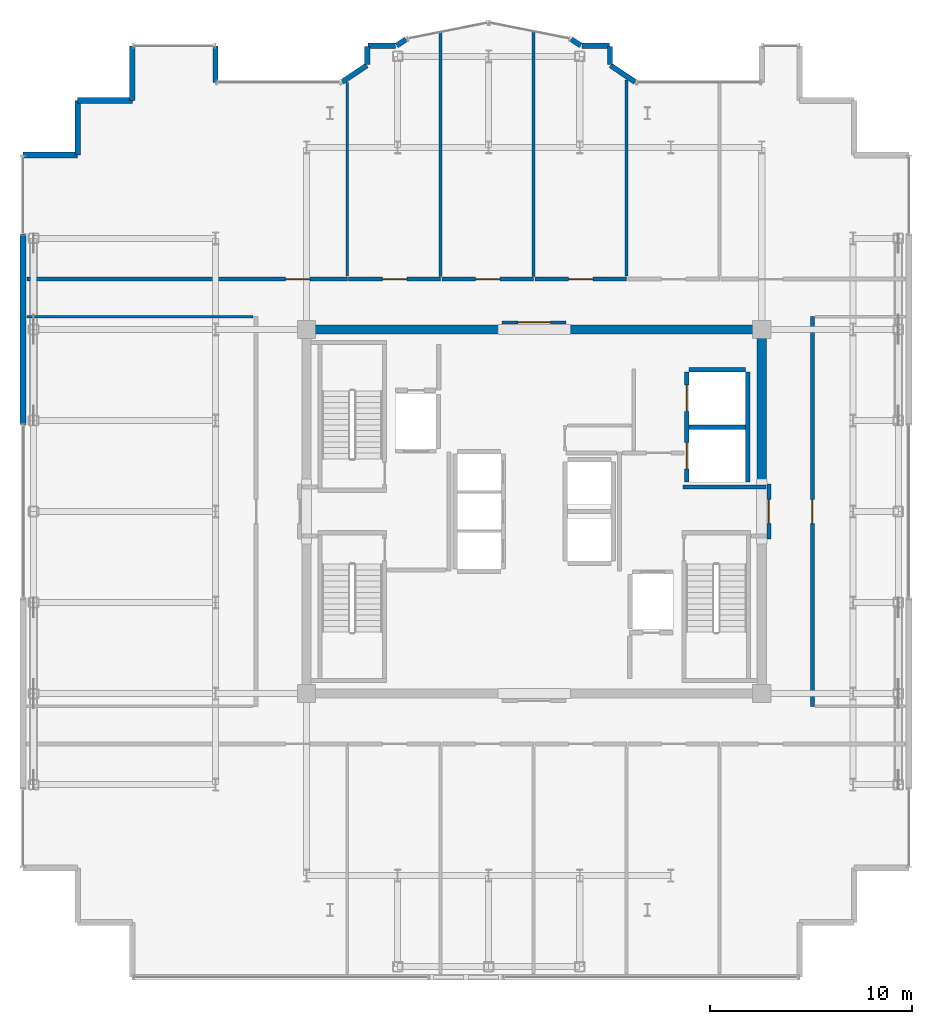
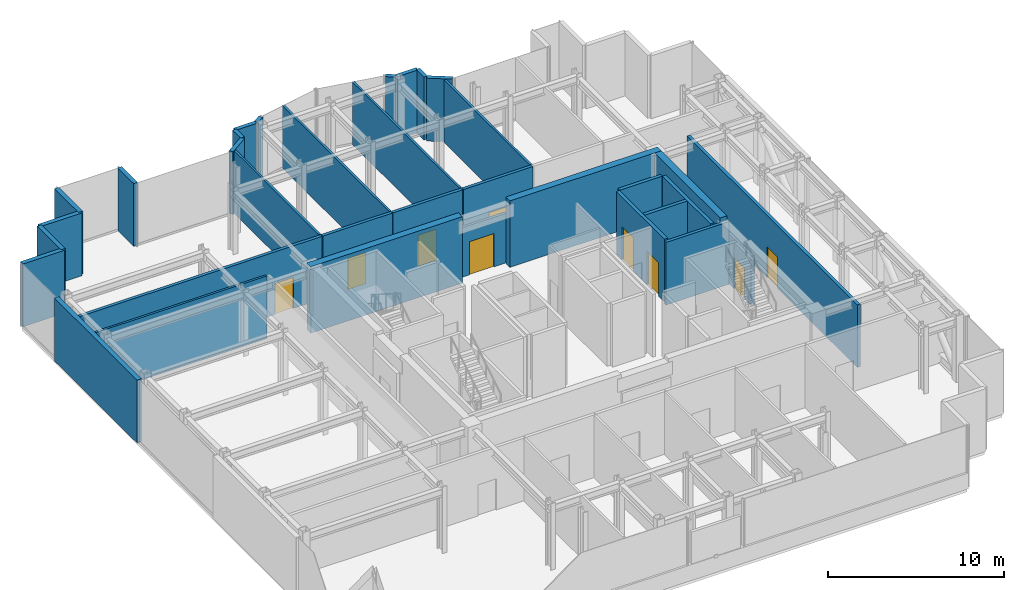
# One storey, part 15 of 18: 34 walls, 9 doors, 9 openings.
"""IFC4 building model written with IfcOpenShell, lengths in metres."""

from ifc_helpers import new_model, si_unit, direction, frame, frame_2d, origin, place, context, subcontext, project, spatial, rectangle, extrude, source, transform, mapped, material, layer, layer_set, type_object, element, fill, save


model = new_model("IFC4")

# Units and contexts
model_context = context("Model", 3, precision=1e-05, world=origin(), true_north=direction((0.0, 1.0)))
body_context = subcontext(model_context, "Body", "Model", "MODEL_VIEW")
ifc_project = project(units=[si_unit("LENGTHUNIT", "METRE"), si_unit("AREAUNIT", "SQUARE_METRE"), si_unit("VOLUMEUNIT", "CUBIC_METRE"), si_unit("PLANEANGLEUNIT", "RADIAN"), si_unit("MASSUNIT", "GRAM", prefix="KILO")], contexts=[model_context])

# Site, building, storey
site_placement = place(None, origin())
site = spatial("IfcSite", under=ifc_project, at=site_placement, CompositionType="ELEMENT")
building_placement = place(site_placement, origin())
building = spatial("IfcBuilding", under=site, at=building_placement, Name="Nefas-Gora Pilgrimage Tower", CompositionType="ELEMENT")
storey_placement = place(building_placement, frame((0.0, 0.0, 317.800048828125)))
storey = spatial("IfcBuildingStorey", under=building, at=storey_placement, Name="L80", CompositionType="ELEMENT", Elevation=317.800048828125)

# Walls
ifc_material_1 = material(Name="Concrete C50/60", Category="concrete")
ifc_layer_1 = layer(ifc_material_1, 0.449951171875)
ifc_layer_set_1 = layer_set([ifc_layer_1], Name="Concrete C50/60")
wall_type_1 = type_object("IfcWallType", Name="SW-CORE-450", PredefinedType="SHEAR", material=ifc_layer_set_1)
shared_shape_1 = source(origin(), body_context, "Body", "SweptSolid", [
    extrude(rectangle(XDim=9.925048828125, YDim=0.449951171875, at=frame_2d((4.96240234375, 0.0))), origin(), (0.0, 0.0, 1.0), 4.599853515625),
])
for number, where, z_axis, x_axis, name in (
    (1, (-11.47509765625, 9.0, 0.0), (0.0, 0.0, 1.0), (1.0, 0.0, 0.0), "L80 Core Shear Wall N-West"),
    (2, (1.550048828125, 9.0, 0.0), (0.0, 0.0, 1.0), (1.0, 0.0, 0.0), "L80 Core Shear Wall N-East"),
):
    element("IfcWall", number, at=place(storey_placement, frame(where, z_axis=z_axis, x_axis=x_axis)), inside=storey, type_object=wall_type_1, Name=name, PredefinedType="SHEAR", context=body_context, shape_type="MappedRepresentation", body=[
        mapped(shared_shape_1, transform((0.0, 0.0, 0.0), x_axis=(1.0, 0.0, 0.0), y_axis=(0.0, 1.0, 0.0), z_axis=(0.0, 0.0, 1.0), scale=1.0)),
    ])
shared_shape_2 = source(origin(), body_context, "Body", "SweptSolid", [
    extrude(rectangle(XDim=7.4248046875, YDim=0.449951171875, at=frame_2d((3.71240234375, 0.0))), origin(), (0.0, 0.0, 1.0), 4.599853515625),
])
wall_1_placement = place(storey_placement, frame((11.25, 1.35009765625, 0.0), z_axis=(0.0, 0.0, 1.0), x_axis=(0.0, 1.0, 0.0)))
element("IfcWall", 3, at=wall_1_placement, inside=storey, type_object=wall_type_1, Name="L80 Core Shear Wall E-North", PredefinedType="SHEAR", context=body_context, shape_type="MappedRepresentation", body=[
    mapped(shared_shape_2, transform((0.0, 0.0, 0.0), x_axis=(1.0, 0.0, 0.0), y_axis=(0.0, 1.0, 0.0), z_axis=(0.0, 0.0, 1.0), scale=1.0)),
])
ifc_material_2 = material(Name="Precast concrete C45/55", Category="concrete")
ifc_layer_2 = layer(ifc_material_2, 0.239990234375)
ifc_layer_set_2 = layer_set([ifc_layer_2], Name="Precast concrete C45/55")
wall_type_2 = type_object("IfcWallType", Name="EW-SERR-240", PredefinedType="SHEAR", material=ifc_layer_set_2)
shared_shape_3 = source(origin(), body_context, "Body", "SweptSolid", [
    extrude(rectangle(XDim=9.3798828125, YDim=0.300048828125, at=frame_2d((4.68994140625, 0.0))), origin(), (0.0, 0.0, 1.0), 4.349853515625),
])
wall_2_placement = place(storey_placement, frame((-25.27001953125, 4.31005859375, 0.0), z_axis=(0.0, 0.0, 1.0), x_axis=(0.0, 1.0, 0.0)))
element("IfcWall", 4, at=wall_2_placement, inside=storey, type_object=wall_type_2, Name="L80 Belt-Truss Precast Shear Cladding 2", PredefinedType="SHEAR", context=body_context, shape_type="MappedRepresentation", body=[
    mapped(shared_shape_3, transform((0.0, 0.0, 0.0), x_axis=(1.0, 0.0, 0.0), y_axis=(0.0, 1.0, 0.0), z_axis=(0.0, 0.0, 1.0), scale=1.0)),
])
ifc_layer_3 = layer(ifc_material_2, 0.280029296875)
ifc_layer_set_3 = layer_set([ifc_layer_3], Name="Precast concrete C45/55")
wall_type_3 = type_object("IfcWallType", Name="EW-PLANT-280", PredefinedType="SOLIDWALL", material=ifc_layer_set_3)
shared_shape_4 = source(origin(), body_context, "Body", "SweptSolid", [
    extrude(rectangle(XDim=2.699951171875, YDim=0.280029296875, at=frame_2d((1.35009765625, 0.0))), origin(), (0.0, 0.0, 1.0), 4.349853515625),
])
for number, where, z_axis, x_axis, name in (
    (5, (-19.8701171875, 23.02001953125, 0.0), (0.0, 0.0, 1.0), (0.0, -1.0, 0.0), "L80 Serrated Corner Shear Pier Wall 20"),
    (6, (-19.8701171875, 20.320068359375, 0.0), (0.0, 0.0, 1.0), (-1.0, 0.0, 0.0), "L80 Serrated Corner Shear Pier Wall 21"),
    (7, (-22.570068359375, 20.320068359375, 0.0), (0.0, 0.0, 1.0), (0.0, -1.0, 0.0), "L80 Serrated Corner Shear Pier Wall 22"),
    (8, (-22.570068359375, 17.6201171875, 0.0), (0.0, 0.0, 1.0), (-1.0, 0.0, 0.0), "L80 Serrated Corner Shear Pier Wall 23"),
):
    element("IfcWall", number, at=place(storey_placement, frame(where, z_axis=z_axis, x_axis=x_axis)), inside=storey, type_object=wall_type_3, Name=name, PredefinedType="SOLIDWALL", context=body_context, shape_type="MappedRepresentation", body=[
        mapped(shared_shape_4, transform((0.0, 0.0, 0.0), x_axis=(1.0, 0.0, 0.0), y_axis=(0.0, 1.0, 0.0), z_axis=(0.0, 0.0, 1.0), scale=1.0)),
    ])
ifc_material_3 = material(Name="Precast concrete C40/50", Category="concrete")
ifc_layer_4 = layer(ifc_material_3, 0.260009765625)
ifc_layer_set_4 = layer_set([ifc_layer_4], Name="Precast concrete C40/50")
wall_type_4 = type_object("IfcWallType", Name="EW-PORTAL-260", PredefinedType="SOLIDWALL", material=ifc_layer_set_4)
shared_shape_5 = source(origin(), body_context, "Body", "SweptSolid", [
    extrude(rectangle(XDim=1.800048828125, YDim=0.260009765625, at=frame_2d((0.89990234375, 0.0))), origin(), (0.0, 0.0, 1.0), 4.349853515625),
])
wall_3_placement = place(storey_placement, frame((-15.75, 21.219970703125, 0.0), z_axis=(0.0, 0.0, 1.0), x_axis=(0.0, 1.0, 0.0)))
element("IfcWall", 9, at=wall_3_placement, inside=storey, type_object=wall_type_4, Name="L80 Lobe Shoulder Precast Spandrel Pier 19", PredefinedType="SOLIDWALL", context=body_context, shape_type="MappedRepresentation", body=[
    mapped(shared_shape_5, transform((0.0, 0.0, 0.0), x_axis=(1.0, 0.0, 0.0), y_axis=(0.0, 1.0, 0.0), z_axis=(0.0, 0.0, 1.0), scale=1.0)),
])
shared_shape_6 = source(origin(), body_context, "Body", "SweptSolid", [
    extrude(rectangle(XDim=1.468994140625, YDim=0.260009765625, at=frame_2d((0.734375, 0.0))), origin(), (0.0, 0.0, 1.0), 4.349853515625),
])
for number, where, z_axis, x_axis, name in (
    (10, (4.99462890625, 21.235595703125, 0.0), (0.0, 0.0, 1.0), (-0.831461760506, 0.555581983884, 0.0), "L80 Lobe Shoulder Precast Spandrel Pier 11"),
    (11, (-8.273193359375, 22.0517578125, 0.0), (0.0, 0.0, 1.0), (-0.831461760506, -0.555581983884, 0.0), "L80 Lobe Shoulder Precast Spandrel Pier 18"),
):
    element("IfcWall", number, at=place(storey_placement, frame(where, z_axis=z_axis, x_axis=x_axis)), inside=storey, type_object=wall_type_4, Name=name, PredefinedType="SOLIDWALL", context=body_context, shape_type="MappedRepresentation", body=[
        mapped(shared_shape_6, transform((0.0, 0.0, 0.0), x_axis=(1.0, 0.0, 0.0), y_axis=(0.0, 1.0, 0.0), z_axis=(0.0, 0.0, 1.0), scale=1.0)),
    ])
shared_shape_7 = source(origin(), body_context, "Body", "SweptSolid", [
    extrude(rectangle(XDim=0.896728515625, YDim=0.260009765625, at=frame_2d((0.4482421875, 0.0))), origin(), (0.0, 0.0, 1.0), 4.349853515625),
])
for number, where, z_axis, x_axis, name in (
    (12, (3.75, 22.09521484375, 0.0), (0.0, 0.0, 1.0), (0.0, 1.0, 0.0), "L80 Lobe Shoulder Precast Spandrel Pier 12"),
    (13, (-8.25, 22.991943359375, 0.0), (0.0, 0.0, 1.0), (0.0, -1.0, 0.0), "L80 Lobe Shoulder Precast Spandrel Pier 17"),
):
    element("IfcWall", number, at=place(storey_placement, frame(where, z_axis=z_axis, x_axis=x_axis)), inside=storey, type_object=wall_type_4, Name=name, PredefinedType="SOLIDWALL", context=body_context, shape_type="MappedRepresentation", body=[
        mapped(shared_shape_7, transform((0.0, 0.0, 0.0), x_axis=(1.0, 0.0, 0.0), y_axis=(0.0, 1.0, 0.0), z_axis=(0.0, 0.0, 1.0), scale=1.0)),
    ])
shared_shape_8 = source(origin(), body_context, "Body", "SweptSolid", [
    extrude(rectangle(XDim=1.369873046875, YDim=0.260009765625, at=frame_2d((0.68505859375, 0.0))), origin(), (0.0, 0.0, 1.0), 4.349853515625),
])
for number, where, z_axis, x_axis, name in (
    (14, (3.721923828125, 23.02001953125, 0.0), (0.0, 0.0, 1.0), (-1.0, 0.0, 0.0), "L80 Lobe Shoulder Precast Spandrel Pier 13"),
    (15, (-6.85205078125, 23.02001953125, 0.0), (0.0, 0.0, 1.0), (-1.0, 0.0, 0.0), "L80 Lobe Shoulder Precast Spandrel Pier 16"),
):
    element("IfcWall", number, at=place(storey_placement, frame(where, z_axis=z_axis, x_axis=x_axis)), inside=storey, type_object=wall_type_4, Name=name, PredefinedType="SOLIDWALL", context=body_context, shape_type="MappedRepresentation", body=[
        mapped(shared_shape_8, transform((0.0, 0.0, 0.0), x_axis=(1.0, 0.0, 0.0), y_axis=(0.0, 1.0, 0.0), z_axis=(0.0, 0.0, 1.0), scale=1.0)),
    ])
shared_shape_9 = source(origin(), body_context, "Body", "SweptSolid", [
    extrude(rectangle(XDim=0.5654296875, YDim=0.260009765625, at=frame_2d((0.28271484375, 0.0))), origin(), (0.0, 0.0, 1.0), 4.349853515625),
])
for number, where, z_axis, x_axis, name in (
    (16, (2.30078125, 23.03564453125, 0.0), (0.0, 0.0, 1.0), (-0.831651492666, 0.555297933317, 0.0), "L80 Lobe Shoulder Precast Spandrel Pier 14"),
    (17, (-6.33056640625, 23.349609375, 0.0), (0.0, 0.0, 1.0), (-0.831651492666, -0.555297933317, 0.0), "L80 Lobe Shoulder Precast Spandrel Pier 15"),
):
    element("IfcWall", number, at=place(storey_placement, frame(where, z_axis=z_axis, x_axis=x_axis)), inside=storey, type_object=wall_type_4, Name=name, PredefinedType="SOLIDWALL", context=body_context, shape_type="MappedRepresentation", body=[
        mapped(shared_shape_9, transform((0.0, 0.0, 0.0), x_axis=(1.0, 0.0, 0.0), y_axis=(0.0, 1.0, 0.0), z_axis=(0.0, 0.0, 1.0), scale=1.0)),
    ])

# Wall, openings, doors
ifc_material_4 = material(Name="Concrete C40/50", Category="concrete")
ifc_layer_5 = layer(ifc_material_4, 0.219970703125)
ifc_layer_set_5 = layer_set([ifc_layer_5], Name="Concrete C40/50")
wall_type_5 = type_object("IfcWallType", Name="IW-SHAFT-220", PredefinedType="SOLIDWALL", material=ifc_layer_set_5)
shared_shape_10 = source(origin(), body_context, "Body", "SweptSolid", [
    extrude(rectangle(XDim=5.449951171875, YDim=0.219970703125, at=frame_2d((2.72509765625, 0.0))), origin(), (0.0, 0.0, 1.0), 4.3349609375),
])
wall_4_placement = place(storey_placement, frame((7.5400390625, 6.89990234375, 0.0), z_axis=(0.0, 0.0, 1.0), x_axis=(0.0, -1.0, 0.0)))
wall_4 = element("IfcWall", 18, at=wall_4_placement, inside=storey, type_object=wall_type_5, Name="L80 Hoistway Wall SL-01-02-W", PredefinedType="SOLIDWALL", context=body_context, shape_type="MappedRepresentation", body=[
    mapped(shared_shape_10, transform((0.0, 0.0, 0.0), x_axis=(1.0, 0.0, 0.0), y_axis=(0.0, 1.0, 0.0), z_axis=(0.0, 0.0, 1.0), scale=1.0)),
])
opening_1_placement = place(wall_4_placement, frame((3.5, 0.0, 0.0)))
opening_1 = element("IfcOpeningElement", 19, at=opening_1_placement, cuts=wall_4, Name="Opening LD-SV", PredefinedType="OPENING", context=body_context, shape_type="SweptSolid", body=[
    extrude(rectangle(XDim=1.300048828125, YDim=2.300048828125, at=frame_2d((0.64990234375, 1.14990234375))), frame((0.0, 0.119873046875, 0.0), z_axis=(0.0, -1.0, 0.0), x_axis=(1.0, 0.0, 0.0)), (0.0, 0.0, 1.0), 0.239990234375),
])
opening_2_placement = place(wall_4_placement, frame((0.64990234375, 0.0, 0.0)))
opening_2 = element("IfcOpeningElement", 20, at=opening_2_placement, cuts=wall_4, Name="Opening LD-SV", PredefinedType="OPENING", context=body_context, shape_type="SweptSolid", body=[
    extrude(rectangle(XDim=1.300048828125, YDim=2.300048828125, at=frame_2d((0.64990234375, 1.14990234375))), frame((0.0, 0.119873046875, 0.0), z_axis=(0.0, -1.0, 0.0), x_axis=(1.0, 0.0, 0.0)), (0.0, 0.0, 1.0), 0.239990234375),
])
ifc_material_5 = material(Name="Heavy goods sliding lift landing door")
door_type_1 = type_object("IfcDoorType", Name="DR-LIFT-SERV-1300", OperationType="SLIDING_TO_RIGHT", PredefinedType="DOOR", material=ifc_material_5)
shared_shape_11 = source(origin(), body_context, "Body", "SweptSolid", [
    extrude(rectangle(XDim=1.300048828125, YDim=2.300048828125, at=frame_2d((0.64990234375, 1.14990234375))), frame((0.0, 0.02490234375, 0.0), z_axis=(0.0, -1.0, 0.0), x_axis=(1.0, 0.0, 0.0)), (0.0, 0.0, 1.0), 0.050048828125),
])
door_1_placement = place(opening_1_placement, origin())
door_1 = element("IfcDoor", 21, at=door_1_placement, inside=storey, type_object=door_type_1, Name="L80 Sliding Lift Landing Door SL-01", OperationType="SLIDING_TO_RIGHT", OverallHeight=2.300048828125, OverallWidth=1.300048828125, PredefinedType="DOOR", context=body_context, shape_type="MappedRepresentation", body=[
    mapped(shared_shape_11, transform((0.0, 0.0, 0.0), x_axis=(1.0, 0.0, 0.0), y_axis=(0.0, 1.0, 0.0), z_axis=(0.0, 0.0, 1.0), scale=1.0)),
])
fill(opening_1, door_1)
door_2_placement = place(opening_2_placement, origin())
door_2 = element("IfcDoor", 22, at=door_2_placement, inside=storey, type_object=door_type_1, Name="L80 Sliding Lift Landing Door SL-02", OperationType="SLIDING_TO_RIGHT", OverallHeight=2.300048828125, OverallWidth=1.300048828125, PredefinedType="DOOR", context=body_context, shape_type="MappedRepresentation", body=[
    mapped(shared_shape_11, transform((0.0, 0.0, 0.0), x_axis=(1.0, 0.0, 0.0), y_axis=(0.0, 1.0, 0.0), z_axis=(0.0, 0.0, 1.0), scale=1.0)),
])
fill(opening_2, door_2)

# Walls
wall_5_placement = place(storey_placement, frame((10.56005859375, 1.449951171875, 0.0), z_axis=(0.0, 0.0, 1.0), x_axis=(0.0, 1.0, 0.0)))
element("IfcWall", 23, at=wall_5_placement, inside=storey, type_object=wall_type_5, Name="L80 Hoistway Wall SL-01-02-E", PredefinedType="SOLIDWALL", context=body_context, shape_type="MappedRepresentation", body=[
    mapped(shared_shape_10, transform((0.0, 0.0, 0.0), x_axis=(1.0, 0.0, 0.0), y_axis=(0.0, 1.0, 0.0), z_axis=(0.0, 0.0, 1.0), scale=1.0)),
])
shared_shape_12 = source(origin(), body_context, "Body", "SweptSolid", [
    extrude(rectangle(XDim=2.780029296875, YDim=0.219970703125, at=frame_2d((1.39013671875, 0.0))), origin(), (0.0, 0.0, 1.0), 4.3349609375),
])
for number, where, z_axis, x_axis, name in (
    (24, (7.659912109375, 4.175048828125, 0.0), (0.0, 0.0, 1.0), (1.0, 0.0, 0.0), "L80 Hoistway Wall SL-01-02-DIV"),
    (25, (10.43994140625, 7.010009765625, 0.0), (0.0, 0.0, 1.0), (-1.0, 0.0, 0.0), "L80 Hoistway Wall SL-02-N"),
):
    element("IfcWall", number, at=place(storey_placement, frame(where, z_axis=z_axis, x_axis=x_axis)), inside=storey, type_object=wall_type_5, Name=name, PredefinedType="SOLIDWALL", context=body_context, shape_type="MappedRepresentation", body=[
        mapped(shared_shape_12, transform((0.0, 0.0, 0.0), x_axis=(1.0, 0.0, 0.0), y_axis=(0.0, 1.0, 0.0), z_axis=(0.0, 0.0, 1.0), scale=1.0)),
    ])
ifc_material_6 = material(Name="Gypsum fire-rated shaftwall")
ifc_layer_6 = layer(ifc_material_6, 0.199951171875)
ifc_layer_set_6 = layer_set([ifc_layer_6], Name="Gypsum fire-rated shaftwall")
wall_type_6 = type_object("IfcWallType", Name="IW-FFLOB-200", PredefinedType="PARTITIONING", material=ifc_layer_set_6)
shared_shape_13 = source(origin(), body_context, "Body", "SweptSolid", [
    extrude(rectangle(XDim=4.10986328125, YDim=0.199951171875, at=frame_2d((2.054931640625, 0.0))), origin(), (0.0, 0.0, 1.0), 4.3349609375),
])
wall_6_placement = place(storey_placement, frame((7.35009765625, 1.219970703125, 0.0), z_axis=(0.0, 0.0, 1.0), x_axis=(1.0, 0.0, 0.0)))
element("IfcWall", 26, at=wall_6_placement, inside=storey, type_object=wall_type_6, Name="L80 FF Lobby East Throat N Wall 14", PredefinedType="PARTITIONING", context=body_context, shape_type="MappedRepresentation", body=[
    mapped(shared_shape_13, transform((0.0, 0.0, 0.0), x_axis=(1.0, 0.0, 0.0), y_axis=(0.0, 1.0, 0.0), z_axis=(0.0, 0.0, 1.0), scale=1.0)),
])

# Wall, opening, door
ifc_layer_7 = layer(ifc_material_4, 0.199951171875)
ifc_layer_set_7 = layer_set([ifc_layer_7], Name="Concrete C40/50")
wall_type_7 = type_object("IfcWallType", Name="IW-PLANT-200", PredefinedType="SOLIDWALL", material=ifc_layer_set_7)
shared_shape_14 = source(origin(), body_context, "Body", "SweptSolid", [
    extrude(rectangle(XDim=19.27978515625, YDim=0.199951171875, at=frame_2d((9.639892578125, 0.0))), origin(), (0.0, 0.0, 1.0), 4.3349609375),
])
wall_7_placement = place(storey_placement, frame((13.75, -9.639892578125, 0.0), z_axis=(0.0, 0.0, 1.0), x_axis=(0.0, 1.0, 0.0)))
wall_7 = element("IfcWall", 27, at=wall_7_placement, inside=storey, type_object=wall_type_7, Name="L80 Refuge Area East Partition Wall 24", PredefinedType="SOLIDWALL", context=body_context, shape_type="MappedRepresentation", body=[
    mapped(shared_shape_14, transform((0.0, 0.0, 0.0), x_axis=(1.0, 0.0, 0.0), y_axis=(0.0, 1.0, 0.0), z_axis=(0.0, 0.0, 1.0), scale=1.0)),
])
opening_3_placement = place(wall_7_placement, frame((9.0400390625, 0.0, 0.0)))
opening_3 = element("IfcOpeningElement", 28, at=opening_3_placement, cuts=wall_7, Name="Opening ID-PL1", PredefinedType="OPENING", context=body_context, shape_type="SweptSolid", body=[
    extrude(rectangle(XDim=1.199951171875, YDim=2.14990234375, at=frame_2d((0.60009765625, 1.074951171875))), frame((0.0, 0.10986328125, 0.0), z_axis=(0.0, -1.0, 0.0), x_axis=(1.0, 0.0, 0.0)), (0.0, 0.0, 1.0), 0.219970703125),
])
ifc_material_7 = material(Name="Heavy-duty steel plant room fire door", Category="steel")
door_type_2 = type_object("IfcDoorType", Name="DR-INT-PLANT-1200", OperationType="NOTDEFINED", PredefinedType="DOOR", material=ifc_material_7)
shared_shape_15 = source(origin(), body_context, "Body", "SweptSolid", [
    extrude(rectangle(XDim=1.199951171875, YDim=2.14990234375, at=frame_2d((0.60009765625, 1.074951171875))), frame((0.0, 0.02490234375, 0.0), z_axis=(0.0, -1.0, 0.0), x_axis=(1.0, 0.0, 0.0)), (0.0, 0.0, 1.0), 0.050048828125),
])
door_3_placement = place(opening_3_placement, origin())
door_3 = element("IfcDoor", 29, at=door_3_placement, inside=storey, type_object=door_type_2, Name="L80 Refuge Area East Door 10", OperationType="SINGLE_SWING_LEFT", OverallHeight=2.14990234375, OverallWidth=1.199951171875, PredefinedType="DOOR", context=body_context, shape_type="MappedRepresentation", body=[
    mapped(shared_shape_15, transform((0.0, 0.0, 0.0), x_axis=(1.0, 0.0, 0.0), y_axis=(0.0, 1.0, 0.0), z_axis=(0.0, 0.0, 1.0), scale=1.0)),
])
fill(opening_3, door_3)

# Wall
ifc_material_8 = material(Name="Gypsum twin-stud partition")
ifc_layer_8 = layer(ifc_material_8, 0.139892578125)
ifc_layer_set_8 = layer_set([ifc_layer_8], Name="Gypsum twin-stud partition")
wall_type_8 = type_object("IfcWallType", Name="IW-UNIT-140", PredefinedType="PARTITIONING", material=ifc_layer_set_8)
shared_shape_16 = source(origin(), body_context, "Body", "SweptSolid", [
    extrude(rectangle(XDim=9.573974609375, YDim=0.139892578125, at=frame_2d((4.787109375, 0.0))), origin(), (0.0, 0.0, 1.0), 4.3349609375),
])
wall_8_placement = place(storey_placement, frame((-9.239990234375, 11.6298828125, 0.0), z_axis=(0.0, 0.0, 1.0), x_axis=(0.0, 1.0, 0.0)))
element("IfcWall", 30, at=wall_8_placement, inside=storey, type_object=wall_type_8, Name="L80 Water-Cooled Chiller Plant Room Partition Wall 28", PredefinedType="PARTITIONING", context=body_context, shape_type="MappedRepresentation", body=[
    mapped(shared_shape_16, transform((0.0, 0.0, 0.0), x_axis=(1.0, 0.0, 0.0), y_axis=(0.0, 1.0, 0.0), z_axis=(0.0, 0.0, 1.0), scale=1.0)),
])

# Wall, opening, door
shared_shape_17 = source(origin(), body_context, "Body", "SweptSolid", [
    extrude(rectangle(XDim=4.5400390625, YDim=0.199951171875, at=frame_2d((2.27001953125, 0.0))), origin(), (0.0, 0.0, 1.0), 4.3349609375),
])
wall_9_placement = place(storey_placement, frame((-9.169921875, 11.489990234375, 0.0), z_axis=(0.0, 0.0, 1.0), x_axis=(1.0, 0.0, 0.0)))
wall_9 = element("IfcWall", 31, at=wall_9_placement, inside=storey, type_object=wall_type_7, Name="L80 Condenser Water Pump Plant Room Partition Wall 29", PredefinedType="SOLIDWALL", context=body_context, shape_type="MappedRepresentation", body=[
    mapped(shared_shape_17, transform((0.0, 0.0, 0.0), x_axis=(1.0, 0.0, 0.0), y_axis=(0.0, 1.0, 0.0), z_axis=(0.0, 0.0, 1.0), scale=1.0)),
])
opening_4_placement = place(wall_9_placement, frame((1.669921875, 0.0, 0.0)))
opening_4 = element("IfcOpeningElement", 32, at=opening_4_placement, cuts=wall_9, Name="Opening ID-PL1", PredefinedType="OPENING", context=body_context, shape_type="SweptSolid", body=[
    extrude(rectangle(XDim=1.199951171875, YDim=2.14990234375, at=frame_2d((0.60009765625, 1.074951171875))), frame((0.0, 0.10986328125, 0.0), z_axis=(0.0, -1.0, 0.0), x_axis=(1.0, 0.0, 0.0)), (0.0, 0.0, 1.0), 0.219970703125),
])
door_4_placement = place(opening_4_placement, origin())
door_4 = element("IfcDoor", 33, at=door_4_placement, inside=storey, type_object=door_type_2, Name="L80 Condenser Water Pump Plant Room Door 12", OperationType="SINGLE_SWING_LEFT", OverallHeight=2.14990234375, OverallWidth=1.199951171875, PredefinedType="DOOR", context=body_context, shape_type="MappedRepresentation", body=[
    mapped(shared_shape_15, transform((0.0, 0.0, 0.0), x_axis=(1.0, 0.0, 0.0), y_axis=(0.0, 1.0, 0.0), z_axis=(0.0, 0.0, 1.0), scale=1.0)),
])
fill(opening_4, door_4)

wall_10_placement = place(storey_placement, frame((-4.570068359375, 11.489990234375, 0.0), z_axis=(0.0, 0.0, 1.0), x_axis=(1.0, 0.0, 0.0)))
wall_10 = element("IfcWall", 34, at=wall_10_placement, inside=storey, type_object=wall_type_7, Name="L80 Plate Heat Exchanger Plant Room Partition Wall 31", PredefinedType="SOLIDWALL", context=body_context, shape_type="MappedRepresentation", body=[
    mapped(shared_shape_17, transform((0.0, 0.0, 0.0), x_axis=(1.0, 0.0, 0.0), y_axis=(0.0, 1.0, 0.0), z_axis=(0.0, 0.0, 1.0), scale=1.0)),
])
opening_5_placement = place(wall_10_placement, frame((1.669921875, 0.0, 0.0)))
opening_5 = element("IfcOpeningElement", 35, at=opening_5_placement, cuts=wall_10, Name="Opening ID-PL1", PredefinedType="OPENING", context=body_context, shape_type="SweptSolid", body=[
    extrude(rectangle(XDim=1.199951171875, YDim=2.14990234375, at=frame_2d((0.60009765625, 1.074951171875))), frame((0.0, 0.10986328125, 0.0), z_axis=(0.0, -1.0, 0.0), x_axis=(1.0, 0.0, 0.0)), (0.0, 0.0, 1.0), 0.219970703125),
])
door_5_placement = place(opening_5_placement, origin())
door_5 = element("IfcDoor", 36, at=door_5_placement, inside=storey, type_object=door_type_2, Name="L80 Plate Heat Exchanger Plant Room Door 13", OperationType="SINGLE_SWING_RIGHT", OverallHeight=2.14990234375, OverallWidth=1.199951171875, PredefinedType="DOOR", context=body_context, shape_type="MappedRepresentation", body=[
    mapped(shared_shape_15, transform((0.0, 0.0, 0.0), x_axis=(1.0, 0.0, 0.0), y_axis=(0.0, 1.0, 0.0), z_axis=(0.0, 0.0, 1.0), scale=1.0)),
])
fill(opening_5, door_5)

wall_11_placement = place(storey_placement, frame((0.030029296875, 11.489990234375, 0.0), z_axis=(0.0, 0.0, 1.0), x_axis=(1.0, 0.0, 0.0)))
wall_11 = element("IfcWall", 37, at=wall_11_placement, inside=storey, type_object=wall_type_7, Name="L80 High-Altitude Heat-Recovery AHU Plant Room Partition Wall 33", PredefinedType="SOLIDWALL", context=body_context, shape_type="MappedRepresentation", body=[
    mapped(shared_shape_17, transform((0.0, 0.0, 0.0), x_axis=(1.0, 0.0, 0.0), y_axis=(0.0, 1.0, 0.0), z_axis=(0.0, 0.0, 1.0), scale=1.0)),
])
opening_6_placement = place(wall_11_placement, frame((1.669921875, 0.0, 0.0)))
opening_6 = element("IfcOpeningElement", 38, at=opening_6_placement, cuts=wall_11, Name="Opening ID-PL1", PredefinedType="OPENING", context=body_context, shape_type="SweptSolid", body=[
    extrude(rectangle(XDim=1.199951171875, YDim=2.14990234375, at=frame_2d((0.60009765625, 1.074951171875))), frame((0.0, 0.10986328125, 0.0), z_axis=(0.0, -1.0, 0.0), x_axis=(1.0, 0.0, 0.0)), (0.0, 0.0, 1.0), 0.219970703125),
])
door_6_placement = place(opening_6_placement, origin())
door_6 = element("IfcDoor", 39, at=door_6_placement, inside=storey, type_object=door_type_2, Name="L80 High-Altitude Heat-Recovery AHU Plant Room Door 14", OperationType="SINGLE_SWING_LEFT", OverallHeight=2.14990234375, OverallWidth=1.199951171875, PredefinedType="DOOR", context=body_context, shape_type="MappedRepresentation", body=[
    mapped(shared_shape_15, transform((0.0, 0.0, 0.0), x_axis=(1.0, 0.0, 0.0), y_axis=(0.0, 1.0, 0.0), z_axis=(0.0, 0.0, 1.0), scale=1.0)),
])
fill(opening_6, door_6)

# Walls
shared_shape_18 = source(origin(), body_context, "Body", "SweptSolid", [
    extrude(rectangle(XDim=12.103515625, YDim=0.139892578125, at=frame_2d((6.0517578125, 0.0))), origin(), (0.0, 0.0, 1.0), 4.3349609375),
])
wall_12_placement = place(storey_placement, frame((-4.639892578125, 11.6298828125, 0.0), z_axis=(0.0, 0.0, 1.0), x_axis=(0.0, 1.0, 0.0)))
element("IfcWall", 40, at=wall_12_placement, inside=storey, type_object=wall_type_8, Name="L80 Condenser Water Pump Plant Room Partition Wall 30", PredefinedType="PARTITIONING", context=body_context, shape_type="MappedRepresentation", body=[
    mapped(shared_shape_18, transform((0.0, 0.0, 0.0), x_axis=(1.0, 0.0, 0.0), y_axis=(0.0, 1.0, 0.0), z_axis=(0.0, 0.0, 1.0), scale=1.0)),
])
shared_shape_19 = source(origin(), body_context, "Body", "SweptSolid", [
    extrude(rectangle(XDim=12.123291015625, YDim=0.139892578125, at=frame_2d((6.0615234375, 0.0))), origin(), (0.0, 0.0, 1.0), 4.3349609375),
])
wall_13_placement = place(storey_placement, frame((-0.0400390625, 11.6298828125, 0.0), z_axis=(0.0, 0.0, 1.0), x_axis=(0.0, 1.0, 0.0)))
element("IfcWall", 41, at=wall_13_placement, inside=storey, type_object=wall_type_8, Name="L80 Plate Heat Exchanger Plant Room Partition Wall 32", PredefinedType="PARTITIONING", context=body_context, shape_type="MappedRepresentation", body=[
    mapped(shared_shape_19, transform((0.0, 0.0, 0.0), x_axis=(1.0, 0.0, 0.0), y_axis=(0.0, 1.0, 0.0), z_axis=(0.0, 0.0, 1.0), scale=1.0)),
])
shared_shape_20 = source(origin(), body_context, "Body", "SweptSolid", [
    extrude(rectangle(XDim=9.694091796875, YDim=0.139892578125, at=frame_2d((4.84716796875, 0.0))), origin(), (0.0, 0.0, 1.0), 4.3349609375),
])
wall_14_placement = place(storey_placement, frame((4.56005859375, 11.6298828125, 0.0), z_axis=(0.0, 0.0, 1.0), x_axis=(0.0, 1.0, 0.0)))
element("IfcWall", 42, at=wall_14_placement, inside=storey, type_object=wall_type_8, Name="L80 High-Altitude Heat-Recovery AHU Plant Room Partition Wall 34", PredefinedType="PARTITIONING", context=body_context, shape_type="MappedRepresentation", body=[
    mapped(shared_shape_20, transform((0.0, 0.0, 0.0), x_axis=(1.0, 0.0, 0.0), y_axis=(0.0, 1.0, 0.0), z_axis=(0.0, 0.0, 1.0), scale=1.0)),
])

# Wall, opening, door
shared_shape_21 = source(origin(), body_context, "Body", "SweptSolid", [
    extrude(rectangle(XDim=2.7001953125, YDim=0.199951171875, at=frame_2d((1.35009765625, 0.0))), origin(), (0.0, 0.0, 1.0), 3.425048828125),
])
wall_15_placement = place(storey_placement, frame((11.60009765625, -1.35009765625, 0.0), z_axis=(0.0, 0.0, 1.0), x_axis=(0.0, 1.0, 0.0)))
wall_15 = element("IfcWall", 43, at=wall_15_placement, inside=storey, type_object=wall_type_6, Name="L80 FF Lobby East Portal Wall 10", PredefinedType="PARTITIONING", context=body_context, shape_type="MappedRepresentation", body=[
    mapped(shared_shape_21, transform((0.0, 0.0, 0.0), x_axis=(1.0, 0.0, 0.0), y_axis=(0.0, 1.0, 0.0), z_axis=(0.0, 0.0, 1.0), scale=1.0)),
])
opening_7_placement = place(wall_15_placement, frame((0.75, 0.0, 0.0)))
opening_7 = element("IfcOpeningElement", 44, at=opening_7_placement, cuts=wall_15, Name="Opening ID-FF1", PredefinedType="OPENING", context=body_context, shape_type="SweptSolid", body=[
    extrude(rectangle(XDim=1.199951171875, YDim=2.14990234375, at=frame_2d((0.60009765625, 1.074951171875))), frame((0.0, 0.10986328125, 0.0), z_axis=(0.0, -1.0, 0.0), x_axis=(1.0, 0.0, 0.0)), (0.0, 0.0, 1.0), 0.219970703125),
])
ifc_material_9 = material(Name="Smoke-sealed steel firefighting lobby door", Category="steel")
door_type_3 = type_object("IfcDoorType", Name="DR-INT-FFLOB-1200", OperationType="NOTDEFINED", PredefinedType="DOOR", material=ifc_material_9)
door_7_placement = place(opening_7_placement, origin())
door_7 = element("IfcDoor", 45, at=door_7_placement, inside=storey, type_object=door_type_3, Name="L80 FF Lobby East Portal Door 4", OperationType="SINGLE_SWING_LEFT", OverallHeight=2.14990234375, OverallWidth=1.199951171875, PredefinedType="DOOR", context=body_context, shape_type="MappedRepresentation", body=[
    mapped(shared_shape_15, transform((0.0, 0.0, 0.0), x_axis=(1.0, 0.0, 0.0), y_axis=(0.0, 1.0, 0.0), z_axis=(0.0, 0.0, 1.0), scale=1.0)),
])
fill(opening_7, door_7)

ifc_material_10 = material(Name="Gypsum acoustic stud partition")
ifc_layer_9 = layer(ifc_material_10, 0.159912109375)
ifc_layer_set_9 = layer_set([ifc_layer_9], Name="Gypsum acoustic stud partition")
wall_type_9 = type_object("IfcWallType", Name="IW-CORR-160", PredefinedType="PARTITIONING", material=ifc_layer_set_9)
shared_shape_22 = source(origin(), body_context, "Body", "SweptSolid", [
    extrude(rectangle(XDim=3.16015625, YDim=0.159912109375, at=frame_2d((1.580078125, 0.0))), origin(), (0.0, 0.0, 1.0), 3.425048828125),
])
wall_16_placement = place(storey_placement, frame((-1.580078125, 9.35009765625, 0.0), z_axis=(0.0, 0.0, 1.0), x_axis=(1.0, 0.0, 0.0)))
wall_16 = element("IfcWall", 46, at=wall_16_placement, inside=storey, type_object=wall_type_9, Name="L80 Central Lift Lobby North Portal Wall 16", PredefinedType="PARTITIONING", context=body_context, shape_type="MappedRepresentation", body=[
    mapped(shared_shape_22, transform((0.0, 0.0, 0.0), x_axis=(1.0, 0.0, 0.0), y_axis=(0.0, 1.0, 0.0), z_axis=(0.0, 0.0, 1.0), scale=1.0)),
])
opening_8_placement = place(wall_16_placement, frame((0.780029296875, 0.0, 0.0)))
opening_8 = element("IfcOpeningElement", 47, at=opening_8_placement, cuts=wall_16, Name="Opening ID-HL1", PredefinedType="OPENING", context=body_context, shape_type="SweptSolid", body=[
    extrude(rectangle(XDim=1.60009765625, YDim=2.300048828125, at=frame_2d((0.800048828125, 1.14990234375))), frame((0.0, 0.08984375, 0.0), z_axis=(0.0, -1.0, 0.0), x_axis=(1.0, 0.0, 0.0)), (0.0, 0.0, 1.0), 0.179931640625),
])
ifc_material_11 = material(Name="Double acoustic timber assembly hall door", Category="wood")
door_type_4 = type_object("IfcDoorType", Name="DR-INT-HALL-1600", OperationType="DOUBLE_DOOR_SINGLE_SWING", PredefinedType="DOOR", material=ifc_material_11)
shared_shape_23 = source(origin(), body_context, "Body", "SweptSolid", [
    extrude(rectangle(XDim=1.60009765625, YDim=2.300048828125, at=frame_2d((0.800048828125, 1.14990234375))), frame((0.0, 0.02490234375, 0.0), z_axis=(0.0, -1.0, 0.0), x_axis=(1.0, 0.0, 0.0)), (0.0, 0.0, 1.0), 0.050048828125),
])
door_8_placement = place(opening_8_placement, origin())
door_8 = element("IfcDoor", 48, at=door_8_placement, inside=storey, type_object=door_type_4, Name="L80 Central Lift Lobby North Portal Door 6", OperationType="DOUBLE_DOOR_SINGLE_SWING", OverallHeight=2.300048828125, OverallWidth=1.60009765625, PredefinedType="DOOR", context=body_context, shape_type="MappedRepresentation", body=[
    mapped(shared_shape_23, transform((0.0, 0.0, 0.0), x_axis=(1.0, 0.0, 0.0), y_axis=(0.0, 1.0, 0.0), z_axis=(0.0, 0.0, 1.0), scale=1.0)),
])
fill(opening_8, door_8)

# Wall
shared_shape_24 = source(origin(), body_context, "Body", "SweptSolid", [
    extrude(rectangle(XDim=11.190185546875, YDim=0.139892578125, at=frame_2d((5.59521484375, 0.0))), origin(), (0.0, 0.0, 1.0), 4.3349609375),
])
wall_17_placement = place(storey_placement, frame((-25.080078125, 9.6298828125, 0.0), z_axis=(0.0, 0.0, 1.0), x_axis=(1.0, 0.0, 0.0)))
element("IfcWall", 49, at=wall_17_placement, inside=storey, type_object=wall_type_8, Name="L80 Refuge Area West Partition Wall 23", PredefinedType="PARTITIONING", context=body_context, shape_type="MappedRepresentation", body=[
    mapped(shared_shape_24, transform((0.0, 0.0, 0.0), x_axis=(1.0, 0.0, 0.0), y_axis=(0.0, 1.0, 0.0), z_axis=(0.0, 0.0, 1.0), scale=1.0)),
])

# Wall, opening, door
shared_shape_25 = source(origin(), body_context, "Body", "SweptSolid", [
    extrude(rectangle(XDim=15.85009765625, YDim=0.199951171875, at=frame_2d((7.925048828125, 0.0))), origin(), (0.0, 0.0, 1.0), 4.3349609375),
])
wall_18_placement = place(storey_placement, frame((-25.080078125, 11.489990234375, 0.0), z_axis=(0.0, 0.0, 1.0), x_axis=(1.0, 0.0, 0.0)))
wall_18 = element("IfcWall", 50, at=wall_18_placement, inside=storey, type_object=wall_type_7, Name="L80 Water-Cooled Chiller Plant Room Partition Wall 27", PredefinedType="SOLIDWALL", context=body_context, shape_type="MappedRepresentation", body=[
    mapped(shared_shape_25, transform((0.0, 0.0, 0.0), x_axis=(1.0, 0.0, 0.0), y_axis=(0.0, 1.0, 0.0), z_axis=(0.0, 0.0, 1.0), scale=1.0)),
])
opening_9_placement = place(wall_18_placement, frame((12.7861328125, 0.0, 0.0)))
opening_9 = element("IfcOpeningElement", 51, at=opening_9_placement, cuts=wall_18, Name="Opening ID-PL1", PredefinedType="OPENING", context=body_context, shape_type="SweptSolid", body=[
    extrude(rectangle(XDim=1.199951171875, YDim=2.14990234375, at=frame_2d((0.60009765625, 1.074951171875))), frame((0.0, 0.10986328125, 0.0), z_axis=(0.0, -1.0, 0.0), x_axis=(1.0, 0.0, 0.0)), (0.0, 0.0, 1.0), 0.219970703125),
])
door_9_placement = place(opening_9_placement, origin())
door_9 = element("IfcDoor", 52, at=door_9_placement, inside=storey, type_object=door_type_2, Name="L80 Water-Cooled Chiller Plant Room Door 11", OperationType="SINGLE_SWING_RIGHT", OverallHeight=2.14990234375, OverallWidth=1.199951171875, PredefinedType="DOOR", context=body_context, shape_type="MappedRepresentation", body=[
    mapped(shared_shape_15, transform((0.0, 0.0, 0.0), x_axis=(1.0, 0.0, 0.0), y_axis=(0.0, 1.0, 0.0), z_axis=(0.0, 0.0, 1.0), scale=1.0)),
])
fill(opening_9, door_9)

save(model, "model.ifc")
